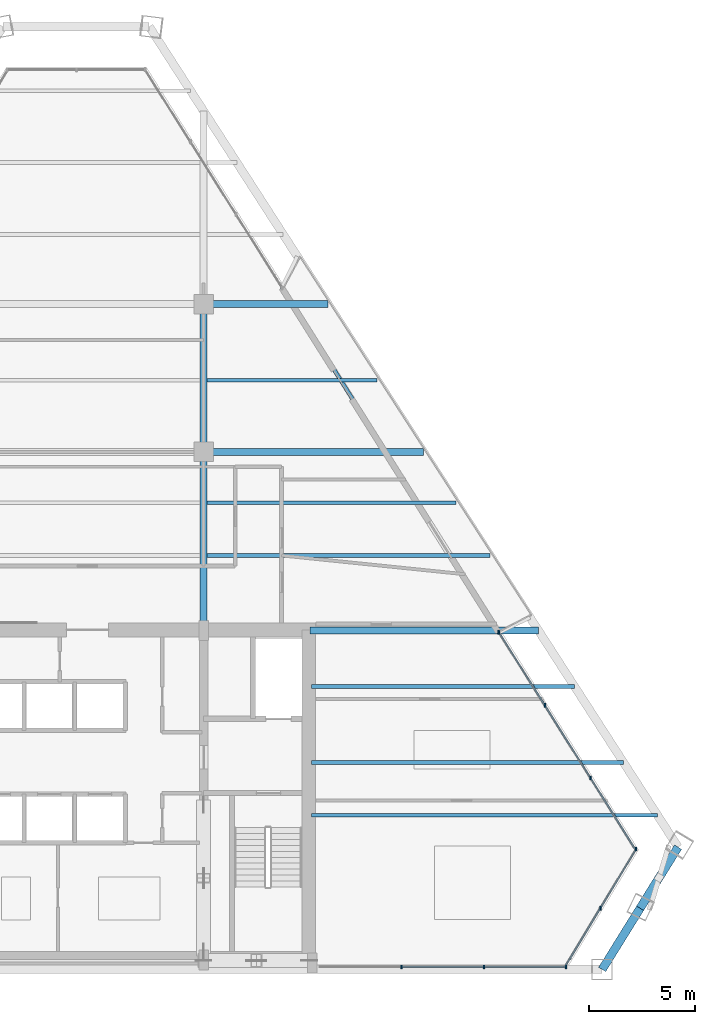
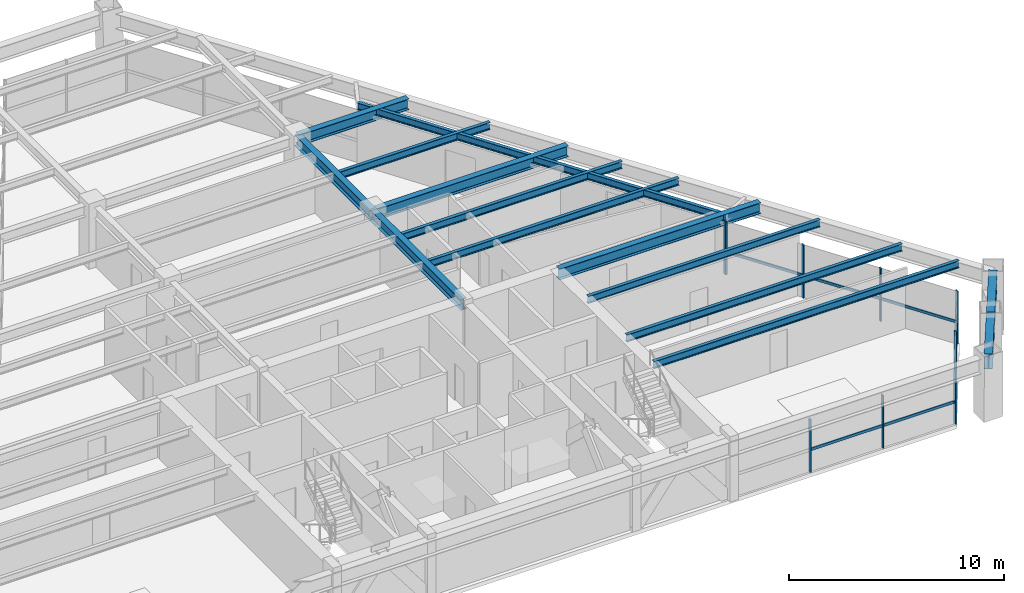
# One storey, part 4 of 12: 16 members, 14 beams, 3 elements without a shape of their own.
"""IFC4 building model written with IfcOpenShell, lengths in metres."""

from ifc_helpers import new_model, si_unit, direction, frame, origin, origin_2d, place, context, subcontext, project, spatial, rectangle, i_section, extrude, source, transform, mapped, material, material_profile, profile_set, type_object, type_shapes, element, aggregate, save


model = new_model("IFC4")

# Units and contexts
model_context = context("Model", 3, precision=1e-05, world=origin(), true_north=direction((0.0, 1.0)))
body_context = subcontext(model_context, "Body", "Model", "MODEL_VIEW")
ifc_project = project(units=[si_unit("LENGTHUNIT", "METRE"), si_unit("AREAUNIT", "SQUARE_METRE"), si_unit("VOLUMEUNIT", "CUBIC_METRE"), si_unit("PLANEANGLEUNIT", "RADIAN"), si_unit("MASSUNIT", "GRAM", prefix="KILO")], contexts=[model_context])

# Site, building, storey
site_placement = place(None, origin())
site = spatial("IfcSite", under=ifc_project, at=site_placement, CompositionType="ELEMENT")
building_placement = place(site_placement, origin())
building = spatial("IfcBuilding", under=site, at=building_placement, Name="Varnakhor Terracotta Tower", CompositionType="ELEMENT")
storey_placement = place(building_placement, frame((0.0, 0.0, 211.699951171875)))
storey = spatial("IfcBuildingStorey", under=building, at=storey_placement, Name="L54", CompositionType="ELEMENT", Elevation=211.699951171875)

# Beams
ifc_material_1 = material(Name="Steel S355", Category="steel")
ifc_material_profile_1 = material_profile(ifc_material_1, i_section(OverallWidth=0.324951171875, OverallDepth=0.615966796875, WebThickness=0.013916015625, FlangeThickness=0.02197265625, FilletRadius=0.01806640625, at=origin_2d()), Name="W24X117")
ifc_profile_set_1 = profile_set([ifc_material_profile_1], Name="Steel S355")
beam_type_1 = type_object("IfcBeamType", Name="BM-W24X117", PredefinedType="BEAM", material=ifc_profile_set_1)
shared_shape_1 = source(origin(), body_context, "Body", "SweptSolid", [
    extrude(i_section(OverallWidth=0.324951171875, OverallDepth=0.615966796875, WebThickness=0.013916015625, FlangeThickness=0.02197265625, FilletRadius=0.01806640625, at=origin_2d()), origin(), (0.0, 0.0, 1.0), 8.449951171875),
])
type_shapes(beam_type_1, [shared_shape_1])
beam_1_placement = place(storey_placement, frame((5.5, 16.050048828125, 3.112060546875), z_axis=(0.0, 1.0, 0.0), x_axis=(-1.0, 0.0, 0.0)))
element("IfcBeam", 1, at=beam_1_placement, inside=storey, type_object=beam_type_1, Name="L54 Primary Girder NS1-E", PredefinedType="BEAM", context=body_context, shape_type="MappedRepresentation", body=[
    mapped(shared_shape_1, transform((0.0, 0.0, 0.0), scale=1.0)),
])
shared_shape_2 = source(origin(), body_context, "Body", "SweptSolid", [
    extrude(i_section(OverallWidth=0.324951171875, OverallDepth=0.615966796875, WebThickness=0.013916015625, FlangeThickness=0.02197265625, FilletRadius=0.01806640625, at=origin_2d()), origin(), (0.0, 0.0, 1.0), 7.0),
])
beam_2_placement = place(storey_placement, frame((5.5, 24.5, 3.112060546875), z_axis=(0.0, 1.0, 0.0), x_axis=(-1.0, 0.0, 0.0)))
element("IfcBeam", 2, at=beam_2_placement, inside=storey, type_object=beam_type_1, Name="L54 Primary Girder NS2-E", PredefinedType="BEAM", context=body_context, shape_type="MappedRepresentation", body=[
    mapped(shared_shape_2, transform((0.0, 0.0, 0.0), scale=1.0)),
])
ifc_material_profile_2 = material_profile(ifc_material_1, i_section(OverallWidth=0.179931640625, OverallDepth=0.4130859375, WebThickness=0.009765625, FlangeThickness=0.01611328125, FilletRadius=0.01806640625, at=origin_2d()), Name="W16X50")
ifc_profile_set_2 = profile_set([ifc_material_profile_2], Name="Steel S355")
beam_type_2 = type_object("IfcBeamType", Name="JST-W16X50", PredefinedType="JOIST", material=ifc_profile_set_2)
shared_shape_3 = source(origin(), body_context, "Body", "SweptSolid", [
    extrude(i_section(OverallWidth=0.179931640625, OverallDepth=0.4130859375, WebThickness=0.009765625, FlangeThickness=0.01611328125, FilletRadius=0.01806640625, at=origin_2d()), origin(), (0.0, 0.0, 1.0), 14.78173828125),
])
beam_3_placement = place(storey_placement, frame((10.60009765625, 9.800048828125, 3.213623046875), z_axis=(1.0, 0.0, 0.0), x_axis=(0.0, 1.0, 0.0)))
element("IfcBeam", 3, at=beam_3_placement, inside=storey, type_object=beam_type_2, Name="L54 Floor Joist E2", PredefinedType="JOIST", context=body_context, shape_type="MappedRepresentation", body=[
    mapped(shared_shape_3, transform((0.0, 0.0, 0.0), scale=1.0)),
])
ifc_material_profile_3 = material_profile(ifc_material_1, i_section(OverallWidth=0.39990234375, OverallDepth=0.85498046875, WebThickness=0.01806640625, FlangeThickness=0.029052734375, FilletRadius=0.01806640625, at=origin_2d()), Name="W33X201")
ifc_profile_set_3 = profile_set([ifc_material_profile_3], Name="Steel S355")
beam_type_3 = type_object("IfcBeamType", Name="BM-W33X201", PredefinedType="BEAM", material=ifc_profile_set_3)
shared_shape_4 = source(origin(), body_context, "Body", "SweptSolid", [
    extrude(i_section(OverallWidth=0.39990234375, OverallDepth=0.85498046875, WebThickness=0.01806640625, FlangeThickness=0.029052734375, FilletRadius=0.01806640625, at=origin_2d()), origin(), (0.0, 0.0, 1.0), 3.40771484375),
])
for number, where, z_axis, x_axis, name in (
    (4, (24.372314453125, 0.0, 2.992431640625), (0.52723979805, 0.849716538236, 0.0), (-0.849716538236, 0.52723979805, 0.0), "L54 Perimeter Spandrel 2"),
    (5, (26.1689453125, 2.8955078125, 2.992431640625), (0.527291524529, 0.849684440342, 0.0), (-0.849684440342, 0.527291524529, 0.0), "L54 Perimeter Spandrel 3"),
):
    element("IfcBeam", number, at=place(storey_placement, frame(where, z_axis=z_axis, x_axis=x_axis)), inside=storey, type_object=beam_type_3, Name=name, PredefinedType="BEAM", context=body_context, shape_type="MappedRepresentation", body=[
        mapped(shared_shape_4, transform((0.0, 0.0, 0.0), scale=1.0)),
    ])
ifc_material_profile_4 = material_profile(ifc_material_1, i_section(OverallWidth=0.179931640625, OverallDepth=0.39990234375, WebThickness=0.008544921875, FlangeThickness=0.013427734375, FilletRadius=0.01806640625, at=origin_2d()), Name="IPE400")
ifc_profile_set_4 = profile_set([ifc_material_profile_4], Name="Steel S355")
beam_type_4 = type_object("IfcBeamType", Name="JST-IPE400", PredefinedType="JOIST", material=ifc_profile_set_4)
shared_shape_5 = source(origin(), body_context, "Body", "SweptSolid", [
    extrude(i_section(OverallWidth=0.179931640625, OverallDepth=0.39990234375, WebThickness=0.008544921875, FlangeThickness=0.013427734375, FilletRadius=0.01806640625, at=origin_2d()), origin(), (0.0, 0.0, 1.0), 19.313720703125),
])
beam_4_placement = place(storey_placement, frame((19.487060546875, 15.952880859375, 3.219970703125), z_axis=(-0.531558116181, 0.847021823285, 0.0), x_axis=(-0.847021823285, -0.531558116181, 0.0)))
element("IfcBeam", 6, at=beam_4_placement, inside=storey, type_object=beam_type_4, Name="L54 Loggia Edge Beam 1", PredefinedType="JOIST", context=body_context, shape_type="MappedRepresentation", body=[
    mapped(shared_shape_5, transform((0.0, 0.0, 0.0), scale=1.0)),
])
shared_shape_6 = source(origin(), body_context, "Body", "SweptSolid", [
    extrude(i_section(OverallWidth=0.324951171875, OverallDepth=0.615966796875, WebThickness=0.013916015625, FlangeThickness=0.02197265625, FilletRadius=0.01806640625, at=origin_2d()), origin(), (0.0, 0.0, 1.0), 10.803466796875),
])
beam_5_placement = place(storey_placement, frame((10.550048828125, 16.050048828125, 3.112060546875), z_axis=(1.0, 0.0, 0.0), x_axis=(0.0, 1.0, 0.0)))
element("IfcBeam", 7, at=beam_5_placement, inside=storey, type_object=beam_type_1, Name="L54 Wing Girder E", PredefinedType="BEAM", context=body_context, shape_type="MappedRepresentation", body=[
    mapped(shared_shape_6, transform((0.0, 0.0, 0.0), scale=1.0)),
])
shared_shape_7 = source(origin(), body_context, "Body", "SweptSolid", [
    extrude(i_section(OverallWidth=0.324951171875, OverallDepth=0.615966796875, WebThickness=0.013916015625, FlangeThickness=0.02197265625, FilletRadius=0.01806640625, at=origin_2d()), origin(), (0.0, 0.0, 1.0), 10.407470703125),
])
beam_6_placement = place(storey_placement, frame((5.5, 24.5, 3.112060546875), z_axis=(1.0, 0.0, 0.0), x_axis=(0.0, 1.0, 0.0)))
element("IfcBeam", 8, at=beam_6_placement, inside=storey, type_object=beam_type_1, Name="L54 Primary Girder EW2-3", PredefinedType="BEAM", context=body_context, shape_type="MappedRepresentation", body=[
    mapped(shared_shape_7, transform((0.0, 0.0, 0.0), scale=1.0)),
])
shared_shape_8 = source(origin(), body_context, "Body", "SweptSolid", [
    extrude(i_section(OverallWidth=0.324951171875, OverallDepth=0.615966796875, WebThickness=0.013916015625, FlangeThickness=0.02197265625, FilletRadius=0.01806640625, at=origin_2d()), origin(), (0.0, 0.0, 1.0), 5.895751953125),
])
beam_7_placement = place(storey_placement, frame((5.5, 31.5, 3.112060546875), z_axis=(1.0, 0.0, 0.0), x_axis=(0.0, 1.0, 0.0)))
element("IfcBeam", 9, at=beam_7_placement, inside=storey, type_object=beam_type_1, Name="L54 Primary Girder EW3-3", PredefinedType="BEAM", context=body_context, shape_type="MappedRepresentation", body=[
    mapped(shared_shape_8, transform((0.0, 0.0, 0.0), scale=1.0)),
])
shared_shape_9 = source(origin(), body_context, "Body", "SweptSolid", [
    extrude(i_section(OverallWidth=0.179931640625, OverallDepth=0.4130859375, WebThickness=0.009765625, FlangeThickness=0.01611328125, FilletRadius=0.01806640625, at=origin_2d()), origin(), (0.0, 0.0, 1.0), 16.39306640625),
])
beam_8_placement = place(storey_placement, frame((10.60009765625, 7.300048828125, 3.213623046875), z_axis=(1.0, 0.0, 0.0), x_axis=(0.0, 1.0, 0.0)))
element("IfcBeam", 10, at=beam_8_placement, inside=storey, type_object=beam_type_2, Name="L54 Floor Joist E1", PredefinedType="JOIST", context=body_context, shape_type="MappedRepresentation", body=[
    mapped(shared_shape_9, transform((0.0, 0.0, 0.0), scale=1.0)),
])
shared_shape_10 = source(origin(), body_context, "Body", "SweptSolid", [
    extrude(i_section(OverallWidth=0.179931640625, OverallDepth=0.4130859375, WebThickness=0.009765625, FlangeThickness=0.01611328125, FilletRadius=0.01806640625, at=origin_2d()), origin(), (0.0, 0.0, 1.0), 12.46142578125),
])
beam_9_placement = place(storey_placement, frame((10.60009765625, 13.39990234375, 3.213623046875), z_axis=(1.0, 0.0, 0.0), x_axis=(0.0, 1.0, 0.0)))
element("IfcBeam", 11, at=beam_9_placement, inside=storey, type_object=beam_type_2, Name="L54 Floor Joist E3", PredefinedType="JOIST", context=body_context, shape_type="MappedRepresentation", body=[
    mapped(shared_shape_10, transform((0.0, 0.0, 0.0), scale=1.0)),
])
shared_shape_11 = source(origin(), body_context, "Body", "SweptSolid", [
    extrude(i_section(OverallWidth=0.179931640625, OverallDepth=0.4130859375, WebThickness=0.009765625, FlangeThickness=0.01611328125, FilletRadius=0.01806640625, at=origin_2d()), origin(), (0.0, 0.0, 1.0), 13.4072265625),
])
beam_10_placement = place(storey_placement, frame((5.658447265625, 19.60009765625, 3.213623046875), z_axis=(1.0, 0.0, 0.0), x_axis=(0.0, 1.0, 0.0)))
element("IfcBeam", 12, at=beam_10_placement, inside=storey, type_object=beam_type_2, Name="L54 Composite Floor Joist 4-3", PredefinedType="JOIST", context=body_context, shape_type="MappedRepresentation", body=[
    mapped(shared_shape_11, transform((0.0, 0.0, 0.0), scale=1.0)),
])
shared_shape_12 = source(origin(), body_context, "Body", "SweptSolid", [
    extrude(i_section(OverallWidth=0.179931640625, OverallDepth=0.4130859375, WebThickness=0.009765625, FlangeThickness=0.01611328125, FilletRadius=0.01806640625, at=origin_2d()), origin(), (0.0, 0.0, 1.0), 11.795654296875),
])
beam_11_placement = place(storey_placement, frame((5.658447265625, 22.10009765625, 3.213623046875), z_axis=(1.0, 0.0, 0.0), x_axis=(0.0, 1.0, 0.0)))
element("IfcBeam", 13, at=beam_11_placement, inside=storey, type_object=beam_type_2, Name="L54 Composite Floor Joist 5-3", PredefinedType="JOIST", context=body_context, shape_type="MappedRepresentation", body=[
    mapped(shared_shape_12, transform((0.0, 0.0, 0.0), scale=1.0)),
])
shared_shape_13 = source(origin(), body_context, "Body", "SweptSolid", [
    extrude(i_section(OverallWidth=0.179931640625, OverallDepth=0.4130859375, WebThickness=0.009765625, FlangeThickness=0.01611328125, FilletRadius=0.01806640625, at=origin_2d()), origin(), (0.0, 0.0, 1.0), 8.0576171875),
])
beam_12_placement = place(storey_placement, frame((5.658447265625, 27.89990234375, 3.213623046875), z_axis=(1.0, 0.0, 0.0), x_axis=(0.0, 1.0, 0.0)))
element("IfcBeam", 14, at=beam_12_placement, inside=storey, type_object=beam_type_2, Name="L54 Composite Floor Joist 6-3", PredefinedType="JOIST", context=body_context, shape_type="MappedRepresentation", body=[
    mapped(shared_shape_13, transform((0.0, 0.0, 0.0), scale=1.0)),
])

# Curtain wall, members
ifc_material_2 = material(Name="Anodised Aluminium Curtain Wall System", Category="aluminium")
curtain_wall_type = type_object("IfcCurtainWallType", Name="CW-SYS-MID-OFFICE", PredefinedType="NOTDEFINED", material=ifc_material_2)
curtain_wall_1_placement = place(storey_placement, origin())
curtain_wall_1 = element("IfcCurtainWall", 15, at=curtain_wall_1_placement, inside=storey, type_object=curtain_wall_type, Name="L54 E Facet Curtain Wall 2", PredefinedType="NOTDEFINED")
ifc_material_3 = material(Name="Anodised Aluminium 6063-T6", Category="aluminium")
ifc_material_profile_5 = material_profile(ifc_material_3, rectangle(XDim=0.070068359375, YDim=0.175048828125, at=origin_2d()), Name="ALU MULLION 70x175")
ifc_profile_set_5 = profile_set([ifc_material_profile_5], Name="Anodised Aluminium 6063-T6")
member_type_1 = type_object("IfcMemberType", Name="CWM-03", PredefinedType="MULLION", material=ifc_profile_set_5)
shared_shape_14 = source(origin(), body_context, "Body", "SweptSolid", [
    extrude(rectangle(XDim=0.070068359375, YDim=0.175048828125, at=origin_2d()), origin(), (0.0, 0.0, 1.0), 3.0),
])
member_1_placement = place(storey_placement, frame((19.49169921875, 15.947998046875, 0.0), z_axis=(0.0, 0.0, 1.0), x_axis=(1.0, 0.0, 0.0)))
member_1 = element("IfcMember", 16, at=member_1_placement, type_object=member_type_1, Name="L54 E Facet Curtain Wall 2 Mullion 1", PredefinedType="MULLION", context=body_context, shape_type="MappedRepresentation", body=[
    mapped(shared_shape_14, transform((0.0, 0.0, 0.0), scale=1.0)),
])
member_2_placement = place(storey_placement, frame((21.655517578125, 12.5068359375, 0.0), z_axis=(0.0, 0.0, 1.0), x_axis=(1.0, 0.0, 0.0)))
member_2 = element("IfcMember", 17, at=member_2_placement, type_object=member_type_1, Name="L54 E Facet Curtain Wall 2 Mullion 2", PredefinedType="MULLION", context=body_context, shape_type="MappedRepresentation", body=[
    mapped(shared_shape_14, transform((0.0, 0.0, 0.0), scale=1.0)),
])
member_3_placement = place(storey_placement, frame((23.819091796875, 9.065673828125, 0.0), z_axis=(0.0, 0.0, 1.0), x_axis=(1.0, 0.0, 0.0)))
member_3 = element("IfcMember", 18, at=member_3_placement, type_object=member_type_1, Name="L54 E Facet Curtain Wall 2 Mullion 3", PredefinedType="MULLION", context=body_context, shape_type="MappedRepresentation", body=[
    mapped(shared_shape_14, transform((0.0, 0.0, 0.0), scale=1.0)),
])
member_4_placement = place(storey_placement, frame((19.458740234375, 15.962646484375, 0.0), z_axis=(0.0, 0.0, 1.0), x_axis=(1.0, 0.0, 0.0)))
member_4 = element("IfcMember", 19, at=member_4_placement, type_object=member_type_1, Name="L54 E Loggia Jamb Closure Mullion 2", PredefinedType="MULLION", context=body_context, shape_type="MappedRepresentation", body=[
    mapped(shared_shape_14, transform((0.0, 0.0, 0.0), scale=1.0)),
])

curtain_wall_2_placement = place(storey_placement, origin())
curtain_wall_2 = element("IfcCurtainWall", 20, at=curtain_wall_2_placement, inside=storey, type_object=curtain_wall_type, Name="L54 Facet Curtain Wall 4", PredefinedType="NOTDEFINED")
member_5_placement = place(storey_placement, frame((25.982177734375, 5.699462890625, 0.0), z_axis=(0.0, 0.0, 1.0), x_axis=(1.0, 0.0, 0.0)))
member_5 = element("IfcMember", 21, at=member_5_placement, type_object=member_type_1, Name="L54 Facet Curtain Wall 4 Mullion 1", PredefinedType="MULLION", context=body_context, shape_type="MappedRepresentation", body=[
    mapped(shared_shape_14, transform((0.0, 0.0, 0.0), scale=1.0)),
])
member_6_placement = place(storey_placement, frame((24.285400390625, 2.8935546875, 0.0), z_axis=(0.0, 0.0, 1.0), x_axis=(1.0, 0.0, 0.0)))
member_6 = element("IfcMember", 22, at=member_6_placement, type_object=member_type_1, Name="L54 Facet Curtain Wall 4 Mullion 2", PredefinedType="MULLION", context=body_context, shape_type="MappedRepresentation", body=[
    mapped(shared_shape_14, transform((0.0, 0.0, 0.0), scale=1.0)),
])

curtain_wall_3_placement = place(storey_placement, origin())
curtain_wall_3 = element("IfcCurtainWall", 23, at=curtain_wall_3_placement, inside=storey, type_object=curtain_wall_type, Name="L54 South Wing Curtain Wall SSE", PredefinedType="NOTDEFINED")
member_7_placement = place(storey_placement, frame((22.665771484375, 0.1201171875, 0.0), z_axis=(0.0, 0.0, 1.0), x_axis=(1.0, 0.0, 0.0)))
member_7 = element("IfcMember", 24, at=member_7_placement, type_object=member_type_1, Name="L54 South Wing Curtain Wall SSE Mullion 1", PredefinedType="MULLION", context=body_context, shape_type="MappedRepresentation", body=[
    mapped(shared_shape_14, transform((0.0, 0.0, 0.0), scale=1.0)),
])
member_8_placement = place(storey_placement, frame((18.76708984375, 0.1201171875, 0.0), z_axis=(0.0, 0.0, 1.0), x_axis=(1.0, 0.0, 0.0)))
member_8 = element("IfcMember", 25, at=member_8_placement, type_object=member_type_1, Name="L54 South Wing Curtain Wall SSE Mullion 2", PredefinedType="MULLION", context=body_context, shape_type="MappedRepresentation", body=[
    mapped(shared_shape_14, transform((0.0, 0.0, 0.0), scale=1.0)),
])
member_9_placement = place(storey_placement, frame((14.86865234375, 0.1201171875, 0.0), z_axis=(0.0, 0.0, 1.0), x_axis=(1.0, 0.0, 0.0)))
member_9 = element("IfcMember", 26, at=member_9_placement, type_object=member_type_1, Name="L54 South Wing Curtain Wall SSE Mullion 3", PredefinedType="MULLION", context=body_context, shape_type="MappedRepresentation", body=[
    mapped(shared_shape_14, transform((0.0, 0.0, 0.0), scale=1.0)),
])

# Member
ifc_material_profile_6 = material_profile(ifc_material_3, rectangle(XDim=0.070068359375, YDim=0.155029296875, at=origin_2d()), Name="ALU TRANSOM 70x155")
ifc_profile_set_6 = profile_set([ifc_material_profile_6], Name="Anodised Aluminium 6063-T6")
member_type_2 = type_object("IfcMemberType", Name="CWT-03", PredefinedType="USERDEFINED", material=ifc_profile_set_6)
shared_shape_15 = source(origin(), body_context, "Body", "SweptSolid", [
    extrude(rectangle(XDim=0.070068359375, YDim=0.155029296875, at=origin_2d()), origin(), (0.0, 0.0, 1.0), 4.064697265625),
])
member_10_placement = place(storey_placement, frame((21.655517578125, 12.5068359375, 1.260009765625), z_axis=(0.532269946398, -0.846574689063, 0.0), x_axis=(0.846574689063, 0.532269946398, 0.0)))
member_10 = element("IfcMember", 27, at=member_10_placement, type_object=member_type_2, Name="L54 E Facet Curtain Wall 2 Transom 2", ObjectType="TRANSOM", PredefinedType="USERDEFINED", context=body_context, shape_type="MappedRepresentation", body=[
    mapped(shared_shape_15, transform((0.0, 0.0, 0.0), scale=1.0)),
])

member_11_placement = place(storey_placement, frame((23.819091796875, 9.065673828125, 1.260009765625), z_axis=(0.532269946398, -0.846574689063, 0.0), x_axis=(0.846574689063, 0.532269946398, 0.0)))
member_11 = element("IfcMember", 28, at=member_11_placement, type_object=member_type_2, Name="L54 E Facet Curtain Wall 2 Transom 3", ObjectType="TRANSOM", PredefinedType="USERDEFINED", context=body_context, shape_type="MappedRepresentation", body=[
    mapped(shared_shape_15, transform((0.0, 0.0, 0.0), scale=1.0)),
])

shared_shape_16 = source(origin(), body_context, "Body", "SweptSolid", [
    extrude(rectangle(XDim=0.070068359375, YDim=0.155029296875, at=origin_2d()), origin(), (0.0, 0.0, 1.0), 4.06494140625),
])
member_12_placement = place(storey_placement, frame((19.49169921875, 15.947998046875, 1.260009765625), z_axis=(0.532312990131, -0.846547624495, 0.0), x_axis=(0.846547624495, 0.532312990131, 0.0)))
member_12 = element("IfcMember", 29, at=member_12_placement, type_object=member_type_2, Name="L54 E Facet Curtain Wall 2 Transom 1", ObjectType="TRANSOM", PredefinedType="USERDEFINED", context=body_context, shape_type="MappedRepresentation", body=[
    mapped(shared_shape_16, transform((0.0, 0.0, 0.0), scale=1.0)),
])

aggregate(curtain_wall_1, [member_1, member_12, member_2, member_10, member_3, member_11, member_4])

shared_shape_17 = source(origin(), body_context, "Body", "SweptSolid", [
    extrude(rectangle(XDim=0.070068359375, YDim=0.155029296875, at=origin_2d()), origin(), (0.0, 0.0, 1.0), 3.279052734375),
])
member_13_placement = place(storey_placement, frame((25.982177734375, 5.699462890625, 1.260009765625), z_axis=(-0.517459912433, -0.855707449438, 0.0), x_axis=(0.855707449438, -0.517459912433, 0.0)))
member_13 = element("IfcMember", 30, at=member_13_placement, type_object=member_type_2, Name="L54 Facet Curtain Wall 4 Transom 1", ObjectType="TRANSOM", PredefinedType="USERDEFINED", context=body_context, shape_type="MappedRepresentation", body=[
    mapped(shared_shape_17, transform((0.0, 0.0, 0.0), scale=1.0)),
])

member_14_placement = place(storey_placement, frame((24.285400390625, 2.8935546875, 1.260009765625), z_axis=(-0.517547398361, -0.855654539198, 0.0), x_axis=(0.855654539198, -0.517547398361, 0.0)))
member_14 = element("IfcMember", 31, at=member_14_placement, type_object=member_type_2, Name="L54 Facet Curtain Wall 4 Transom 2", ObjectType="TRANSOM", PredefinedType="USERDEFINED", context=body_context, shape_type="MappedRepresentation", body=[
    mapped(shared_shape_17, transform((0.0, 0.0, 0.0), scale=1.0)),
])

aggregate(curtain_wall_2, [member_5, member_13, member_6, member_14])

shared_shape_18 = source(origin(), body_context, "Body", "SweptSolid", [
    extrude(rectangle(XDim=0.070068359375, YDim=0.155029296875, at=origin_2d()), origin(), (0.0, 0.0, 1.0), 3.898681640625),
])
member_15_placement = place(storey_placement, frame((22.665771484375, 0.1201171875, 1.260009765625), z_axis=(-1.0, 0.0, 0.0), x_axis=(0.0, -1.0, 0.0)))
member_15 = element("IfcMember", 32, at=member_15_placement, type_object=member_type_2, Name="L54 South Wing Curtain Wall SSE Transom 1", ObjectType="TRANSOM", PredefinedType="USERDEFINED", context=body_context, shape_type="MappedRepresentation", body=[
    mapped(shared_shape_18, transform((0.0, 0.0, 0.0), scale=1.0)),
])

shared_shape_19 = source(origin(), body_context, "Body", "SweptSolid", [
    extrude(rectangle(XDim=0.070068359375, YDim=0.155029296875, at=origin_2d()), origin(), (0.0, 0.0, 1.0), 3.8984375),
])
member_16_placement = place(storey_placement, frame((18.76708984375, 0.1201171875, 1.260009765625), z_axis=(-1.0, 0.0, 0.0), x_axis=(0.0, -1.0, 0.0)))
member_16 = element("IfcMember", 33, at=member_16_placement, type_object=member_type_2, Name="L54 South Wing Curtain Wall SSE Transom 2", ObjectType="TRANSOM", PredefinedType="USERDEFINED", context=body_context, shape_type="MappedRepresentation", body=[
    mapped(shared_shape_19, transform((0.0, 0.0, 0.0), scale=1.0)),
])

aggregate(curtain_wall_3, [member_7, member_15, member_8, member_16, member_9])

save(model, "model.ifc")
